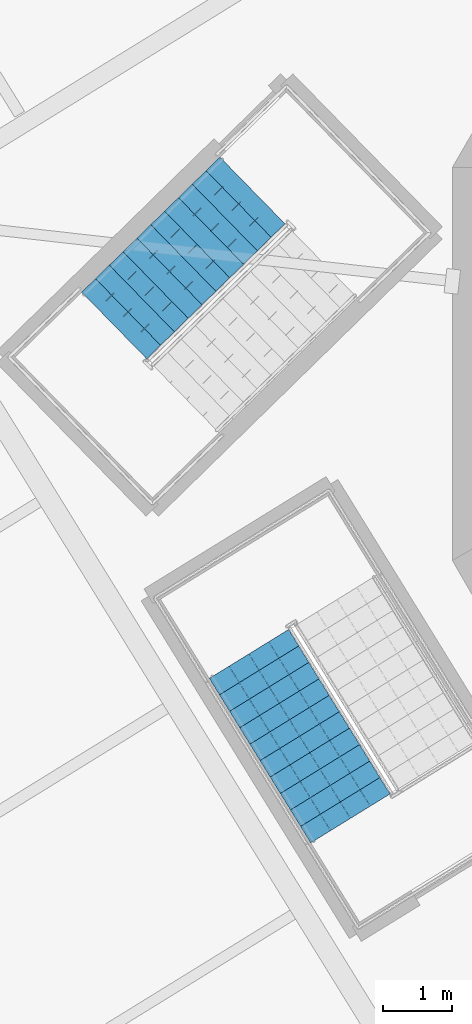
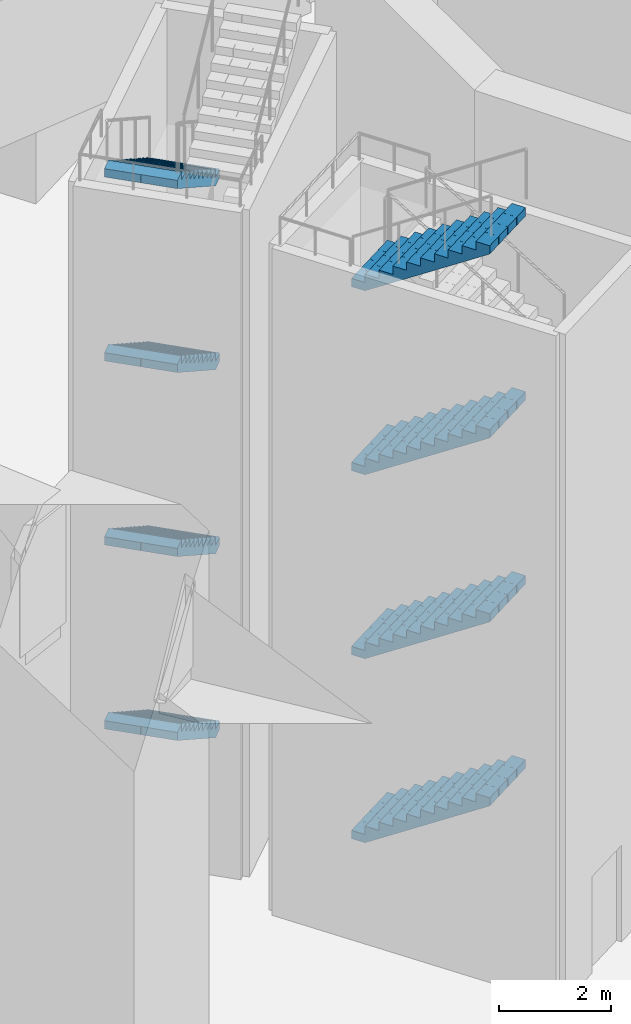
# One storey, part 5 of 15: 8 stair flights, 2 elements without a shape of their own.
"""IFC4 building model written with IfcOpenShell, lengths in metres."""

from ifc_helpers import new_model, si_unit, direction, frame, origin, place, context, subcontext, project, spatial, polyline, outline, extrude, material, type_object, element, aggregate, save


model = new_model("IFC4")

# Units and contexts
model_context = context("Model", 3, precision=1e-05, world=origin(), true_north=direction((0.0, 1.0)))
body_context = subcontext(model_context, "Body", "Model", "MODEL_VIEW")
ifc_project = project(units=[si_unit("LENGTHUNIT", "METRE"), si_unit("AREAUNIT", "SQUARE_METRE"), si_unit("VOLUMEUNIT", "CUBIC_METRE"), si_unit("PLANEANGLEUNIT", "RADIAN"), si_unit("MASSUNIT", "GRAM", prefix="KILO")], contexts=[model_context])

# Site, building, storey
site_placement = place(None, origin())
site = spatial("IfcSite", under=ifc_project, at=site_placement, CompositionType="ELEMENT")
building_placement = place(site_placement, origin())
building = spatial("IfcBuilding", under=site, at=building_placement, Name="Cantera Rosa Tower", CompositionType="ELEMENT")
storey_placement = place(building_placement, frame((0.0, 0.0, 189.39990234375)))
storey = spatial("IfcBuildingStorey", under=building, at=storey_placement, Name="L42", CompositionType="ELEMENT", Elevation=189.39990234375)

# Stair, stair flights
ifc_material_1 = material(Name="Concrete C35/45", Category="concrete")
stair_type = type_object("IfcStairType", Name="EXIT STAIR 1350 DOGLEG", PredefinedType="HALF_TURN_STAIR", material=ifc_material_1)
stair_1_placement = place(storey_placement, origin())
stair_1 = element("IfcStair", 1, at=stair_1_placement, inside=storey, type_object=stair_type, Name="L42 ST-43", PredefinedType="HALF_TURN_STAIR")
ifc_material_2 = material(Name="Concrete C35/45", Category="concrete")
stair_flight_type = type_object("IfcStairFlightType", Name="STAIR FLIGHT 1350 R88x182", PredefinedType="STRAIGHT", material=ifc_material_2)
stair_flight_1_placement = place(storey_placement, frame((-13.522705078125, 2.514892578125, 0.0), z_axis=(0.0, 0.0, 1.0), x_axis=(-0.715286295132, -0.698831536207, 0.0)))
stair_flight_1 = element("IfcStairFlight", 2, at=stair_flight_1_placement, type_object=stair_flight_type, Name="ST-43 flight 1", NumberOfRisers=11, NumberOfTreads=10, PredefinedType="STRAIGHT", RiserHeight=0.181818182, TreadLength=0.28, context=body_context, shape_type="SweptSolid", body=[
    extrude(outline(polyline([(0.0, 0.0), (0.0, 0.181884765625), (0.280029296875, 0.181884765625), (0.280029296875, 0.363525390625), (0.56005859375, 0.363525390625), (0.56005859375, 0.54541015625), (0.840087890625, 0.54541015625), (0.840087890625, 0.727294921875), (1.1201171875, 0.727294921875), (1.1201171875, 0.9091796875), (1.39990234375, 0.9091796875), (1.39990234375, 1.0908203125), (1.679931640625, 1.0908203125), (1.679931640625, 1.272705078125), (1.9599609375, 1.272705078125), (1.9599609375, 1.45458984375), (2.239990234375, 1.45458984375), (2.239990234375, 1.636474609375), (2.52001953125, 1.636474609375), (2.52001953125, 1.818115234375), (2.800048828125, 1.818115234375), (2.800048828125, 2.0), (2.800048828125, 1.639404296875), (0.275146484375, 0.0), (0.0, 0.0)])), frame((0.0, 0.675048828125, 0.0), z_axis=(0.0, -1.0, 0.0), x_axis=(1.0, 0.0, 0.0)), (0.0, 0.0, 1.0), 0.3359375),
    extrude(outline(polyline([(0.0, 0.0), (0.0, 0.181884765625), (0.280029296875, 0.181884765625), (0.280029296875, 0.363525390625), (0.56005859375, 0.363525390625), (0.56005859375, 0.54541015625), (0.840087890625, 0.54541015625), (0.840087890625, 0.727294921875), (1.1201171875, 0.727294921875), (1.1201171875, 0.9091796875), (1.39990234375, 0.9091796875), (1.39990234375, 1.0908203125), (1.679931640625, 1.0908203125), (1.679931640625, 1.272705078125), (1.9599609375, 1.272705078125), (1.9599609375, 1.45458984375), (2.239990234375, 1.45458984375), (2.239990234375, 1.636474609375), (2.52001953125, 1.636474609375), (2.52001953125, 1.818115234375), (2.800048828125, 1.818115234375), (2.800048828125, 2.0), (2.800048828125, 1.639404296875), (0.275146484375, 0.0), (0.0, 0.0)])), frame((0.0, 0.337158203125, 0.0), z_axis=(0.0, -1.0, 0.0), x_axis=(1.0, 0.0, 0.0)), (0.0, 0.0, 1.0), 0.3359375),
    extrude(outline(polyline([(0.0, 0.0), (0.0, 0.181884765625), (0.280029296875, 0.181884765625), (0.280029296875, 0.363525390625), (0.56005859375, 0.363525390625), (0.56005859375, 0.54541015625), (0.840087890625, 0.54541015625), (0.840087890625, 0.727294921875), (1.1201171875, 0.727294921875), (1.1201171875, 0.9091796875), (1.39990234375, 0.9091796875), (1.39990234375, 1.0908203125), (1.679931640625, 1.0908203125), (1.679931640625, 1.272705078125), (1.9599609375, 1.272705078125), (1.9599609375, 1.45458984375), (2.239990234375, 1.45458984375), (2.239990234375, 1.636474609375), (2.52001953125, 1.636474609375), (2.52001953125, 1.818115234375), (2.800048828125, 1.818115234375), (2.800048828125, 2.0), (2.800048828125, 1.639404296875), (0.275146484375, 0.0), (0.0, 0.0)])), frame((0.0, -0.000732421875, 0.0), z_axis=(0.0, -1.0, 0.0), x_axis=(1.0, 0.0, 0.0)), (0.0, 0.0, 1.0), 0.3359375),
    extrude(outline(polyline([(0.0, 0.0), (0.0, 0.181884765625), (0.280029296875, 0.181884765625), (0.280029296875, 0.363525390625), (0.56005859375, 0.363525390625), (0.56005859375, 0.54541015625), (0.840087890625, 0.54541015625), (0.840087890625, 0.727294921875), (1.1201171875, 0.727294921875), (1.1201171875, 0.9091796875), (1.39990234375, 0.9091796875), (1.39990234375, 1.0908203125), (1.679931640625, 1.0908203125), (1.679931640625, 1.272705078125), (1.9599609375, 1.272705078125), (1.9599609375, 1.45458984375), (2.239990234375, 1.45458984375), (2.239990234375, 1.636474609375), (2.52001953125, 1.636474609375), (2.52001953125, 1.818115234375), (2.800048828125, 1.818115234375), (2.800048828125, 2.0), (2.800048828125, 1.639404296875), (0.275146484375, 0.0), (0.0, 0.0)])), frame((0.0, -0.338623046875, 0.0), z_axis=(0.0, -1.0, 0.0), x_axis=(1.0, 0.0, 0.0)), (0.0, 0.0, 1.0), 0.3359375),
])
stair_flight_2_placement = place(storey_placement, frame((-13.522705078125, 2.514892578125, 4.0), z_axis=(0.0, 0.0, 1.0), x_axis=(-0.715286295132, -0.698831536207, 0.0)))
stair_flight_2 = element("IfcStairFlight", 3, at=stair_flight_2_placement, type_object=stair_flight_type, Name="ST-43 flight 3", NumberOfRisers=11, NumberOfTreads=10, PredefinedType="STRAIGHT", RiserHeight=0.181818182, TreadLength=0.28, context=body_context, shape_type="SweptSolid", body=[
    extrude(outline(polyline([(0.0, 0.0), (0.0, 0.181884765625), (0.280029296875, 0.181884765625), (0.280029296875, 0.363525390625), (0.56005859375, 0.363525390625), (0.56005859375, 0.54541015625), (0.840087890625, 0.54541015625), (0.840087890625, 0.727294921875), (1.1201171875, 0.727294921875), (1.1201171875, 0.9091796875), (1.39990234375, 0.9091796875), (1.39990234375, 1.0908203125), (1.679931640625, 1.0908203125), (1.679931640625, 1.272705078125), (1.9599609375, 1.272705078125), (1.9599609375, 1.45458984375), (2.239990234375, 1.45458984375), (2.239990234375, 1.636474609375), (2.52001953125, 1.636474609375), (2.52001953125, 1.818115234375), (2.800048828125, 1.818115234375), (2.800048828125, 2.0), (2.800048828125, 1.639404296875), (0.275146484375, 0.0), (0.0, 0.0)])), frame((0.0, 0.675048828125, 0.0), z_axis=(0.0, -1.0, 0.0), x_axis=(1.0, 0.0, 0.0)), (0.0, 0.0, 1.0), 0.3359375),
    extrude(outline(polyline([(0.0, 0.0), (0.0, 0.181884765625), (0.280029296875, 0.181884765625), (0.280029296875, 0.363525390625), (0.56005859375, 0.363525390625), (0.56005859375, 0.54541015625), (0.840087890625, 0.54541015625), (0.840087890625, 0.727294921875), (1.1201171875, 0.727294921875), (1.1201171875, 0.9091796875), (1.39990234375, 0.9091796875), (1.39990234375, 1.0908203125), (1.679931640625, 1.0908203125), (1.679931640625, 1.272705078125), (1.9599609375, 1.272705078125), (1.9599609375, 1.45458984375), (2.239990234375, 1.45458984375), (2.239990234375, 1.636474609375), (2.52001953125, 1.636474609375), (2.52001953125, 1.818115234375), (2.800048828125, 1.818115234375), (2.800048828125, 2.0), (2.800048828125, 1.639404296875), (0.275146484375, 0.0), (0.0, 0.0)])), frame((0.0, 0.337158203125, 0.0), z_axis=(0.0, -1.0, 0.0), x_axis=(1.0, 0.0, 0.0)), (0.0, 0.0, 1.0), 0.3359375),
    extrude(outline(polyline([(0.0, 0.0), (0.0, 0.181884765625), (0.280029296875, 0.181884765625), (0.280029296875, 0.363525390625), (0.56005859375, 0.363525390625), (0.56005859375, 0.54541015625), (0.840087890625, 0.54541015625), (0.840087890625, 0.727294921875), (1.1201171875, 0.727294921875), (1.1201171875, 0.9091796875), (1.39990234375, 0.9091796875), (1.39990234375, 1.0908203125), (1.679931640625, 1.0908203125), (1.679931640625, 1.272705078125), (1.9599609375, 1.272705078125), (1.9599609375, 1.45458984375), (2.239990234375, 1.45458984375), (2.239990234375, 1.636474609375), (2.52001953125, 1.636474609375), (2.52001953125, 1.818115234375), (2.800048828125, 1.818115234375), (2.800048828125, 2.0), (2.800048828125, 1.639404296875), (0.275146484375, 0.0), (0.0, 0.0)])), frame((0.0, -0.000732421875, 0.0), z_axis=(0.0, -1.0, 0.0), x_axis=(1.0, 0.0, 0.0)), (0.0, 0.0, 1.0), 0.3359375),
    extrude(outline(polyline([(0.0, 0.0), (0.0, 0.181884765625), (0.280029296875, 0.181884765625), (0.280029296875, 0.363525390625), (0.56005859375, 0.363525390625), (0.56005859375, 0.54541015625), (0.840087890625, 0.54541015625), (0.840087890625, 0.727294921875), (1.1201171875, 0.727294921875), (1.1201171875, 0.9091796875), (1.39990234375, 0.9091796875), (1.39990234375, 1.0908203125), (1.679931640625, 1.0908203125), (1.679931640625, 1.272705078125), (1.9599609375, 1.272705078125), (1.9599609375, 1.45458984375), (2.239990234375, 1.45458984375), (2.239990234375, 1.636474609375), (2.52001953125, 1.636474609375), (2.52001953125, 1.818115234375), (2.800048828125, 1.818115234375), (2.800048828125, 2.0), (2.800048828125, 1.639404296875), (0.275146484375, 0.0), (0.0, 0.0)])), frame((0.0, -0.338623046875, 0.0), z_axis=(0.0, -1.0, 0.0), x_axis=(1.0, 0.0, 0.0)), (0.0, 0.0, 1.0), 0.3359375),
])
stair_flight_3_placement = place(storey_placement, frame((-13.522705078125, 2.514892578125, 8.0), z_axis=(0.0, 0.0, 1.0), x_axis=(-0.715286295132, -0.698831536207, 0.0)))
stair_flight_3 = element("IfcStairFlight", 4, at=stair_flight_3_placement, type_object=stair_flight_type, Name="ST-43 flight 5", NumberOfRisers=11, NumberOfTreads=10, PredefinedType="STRAIGHT", RiserHeight=0.181818182, TreadLength=0.28, context=body_context, shape_type="SweptSolid", body=[
    extrude(outline(polyline([(0.0, 0.0), (0.0, 0.181884765625), (0.280029296875, 0.181884765625), (0.280029296875, 0.363525390625), (0.56005859375, 0.363525390625), (0.56005859375, 0.54541015625), (0.840087890625, 0.54541015625), (0.840087890625, 0.727294921875), (1.1201171875, 0.727294921875), (1.1201171875, 0.9091796875), (1.39990234375, 0.9091796875), (1.39990234375, 1.0908203125), (1.679931640625, 1.0908203125), (1.679931640625, 1.272705078125), (1.9599609375, 1.272705078125), (1.9599609375, 1.45458984375), (2.239990234375, 1.45458984375), (2.239990234375, 1.636474609375), (2.52001953125, 1.636474609375), (2.52001953125, 1.818115234375), (2.800048828125, 1.818115234375), (2.800048828125, 2.0), (2.800048828125, 1.639404296875), (0.275146484375, 0.0), (0.0, 0.0)])), frame((0.0, 0.675048828125, 0.0), z_axis=(0.0, -1.0, 0.0), x_axis=(1.0, 0.0, 0.0)), (0.0, 0.0, 1.0), 0.3359375),
    extrude(outline(polyline([(0.0, 0.0), (0.0, 0.181884765625), (0.280029296875, 0.181884765625), (0.280029296875, 0.363525390625), (0.56005859375, 0.363525390625), (0.56005859375, 0.54541015625), (0.840087890625, 0.54541015625), (0.840087890625, 0.727294921875), (1.1201171875, 0.727294921875), (1.1201171875, 0.9091796875), (1.39990234375, 0.9091796875), (1.39990234375, 1.0908203125), (1.679931640625, 1.0908203125), (1.679931640625, 1.272705078125), (1.9599609375, 1.272705078125), (1.9599609375, 1.45458984375), (2.239990234375, 1.45458984375), (2.239990234375, 1.636474609375), (2.52001953125, 1.636474609375), (2.52001953125, 1.818115234375), (2.800048828125, 1.818115234375), (2.800048828125, 2.0), (2.800048828125, 1.639404296875), (0.275146484375, 0.0), (0.0, 0.0)])), frame((0.0, 0.337158203125, 0.0), z_axis=(0.0, -1.0, 0.0), x_axis=(1.0, 0.0, 0.0)), (0.0, 0.0, 1.0), 0.3359375),
    extrude(outline(polyline([(0.0, 0.0), (0.0, 0.181884765625), (0.280029296875, 0.181884765625), (0.280029296875, 0.363525390625), (0.56005859375, 0.363525390625), (0.56005859375, 0.54541015625), (0.840087890625, 0.54541015625), (0.840087890625, 0.727294921875), (1.1201171875, 0.727294921875), (1.1201171875, 0.9091796875), (1.39990234375, 0.9091796875), (1.39990234375, 1.0908203125), (1.679931640625, 1.0908203125), (1.679931640625, 1.272705078125), (1.9599609375, 1.272705078125), (1.9599609375, 1.45458984375), (2.239990234375, 1.45458984375), (2.239990234375, 1.636474609375), (2.52001953125, 1.636474609375), (2.52001953125, 1.818115234375), (2.800048828125, 1.818115234375), (2.800048828125, 2.0), (2.800048828125, 1.639404296875), (0.275146484375, 0.0), (0.0, 0.0)])), frame((0.0, -0.000732421875, 0.0), z_axis=(0.0, -1.0, 0.0), x_axis=(1.0, 0.0, 0.0)), (0.0, 0.0, 1.0), 0.3359375),
    extrude(outline(polyline([(0.0, 0.0), (0.0, 0.181884765625), (0.280029296875, 0.181884765625), (0.280029296875, 0.363525390625), (0.56005859375, 0.363525390625), (0.56005859375, 0.54541015625), (0.840087890625, 0.54541015625), (0.840087890625, 0.727294921875), (1.1201171875, 0.727294921875), (1.1201171875, 0.9091796875), (1.39990234375, 0.9091796875), (1.39990234375, 1.0908203125), (1.679931640625, 1.0908203125), (1.679931640625, 1.272705078125), (1.9599609375, 1.272705078125), (1.9599609375, 1.45458984375), (2.239990234375, 1.45458984375), (2.239990234375, 1.636474609375), (2.52001953125, 1.636474609375), (2.52001953125, 1.818115234375), (2.800048828125, 1.818115234375), (2.800048828125, 2.0), (2.800048828125, 1.639404296875), (0.275146484375, 0.0), (0.0, 0.0)])), frame((0.0, -0.338623046875, 0.0), z_axis=(0.0, -1.0, 0.0), x_axis=(1.0, 0.0, 0.0)), (0.0, 0.0, 1.0), 0.3359375),
])
stair_flight_4_placement = place(storey_placement, frame((-13.522705078125, 2.514892578125, 12.0), z_axis=(0.0, 0.0, 1.0), x_axis=(-0.715286295132, -0.698831536207, 0.0)))
stair_flight_4 = element("IfcStairFlight", 5, at=stair_flight_4_placement, type_object=stair_flight_type, Name="ST-43 flight 7", NumberOfRisers=11, NumberOfTreads=10, PredefinedType="STRAIGHT", RiserHeight=0.181818182, TreadLength=0.28, context=body_context, shape_type="SweptSolid", body=[
    extrude(outline(polyline([(0.0, 0.0), (0.0, 0.181884765625), (0.280029296875, 0.181884765625), (0.280029296875, 0.363525390625), (0.56005859375, 0.363525390625), (0.56005859375, 0.54541015625), (0.840087890625, 0.54541015625), (0.840087890625, 0.727294921875), (1.1201171875, 0.727294921875), (1.1201171875, 0.9091796875), (1.39990234375, 0.9091796875), (1.39990234375, 1.0908203125), (1.679931640625, 1.0908203125), (1.679931640625, 1.272705078125), (1.9599609375, 1.272705078125), (1.9599609375, 1.45458984375), (2.239990234375, 1.45458984375), (2.239990234375, 1.636474609375), (2.52001953125, 1.636474609375), (2.52001953125, 1.818115234375), (2.800048828125, 1.818115234375), (2.800048828125, 2.0), (2.800048828125, 1.639404296875), (0.275146484375, 0.0), (0.0, 0.0)])), frame((0.0, 0.675048828125, 0.0), z_axis=(0.0, -1.0, 0.0), x_axis=(1.0, 0.0, 0.0)), (0.0, 0.0, 1.0), 0.3359375),
    extrude(outline(polyline([(0.0, 0.0), (0.0, 0.181884765625), (0.280029296875, 0.181884765625), (0.280029296875, 0.363525390625), (0.56005859375, 0.363525390625), (0.56005859375, 0.54541015625), (0.840087890625, 0.54541015625), (0.840087890625, 0.727294921875), (1.1201171875, 0.727294921875), (1.1201171875, 0.9091796875), (1.39990234375, 0.9091796875), (1.39990234375, 1.0908203125), (1.679931640625, 1.0908203125), (1.679931640625, 1.272705078125), (1.9599609375, 1.272705078125), (1.9599609375, 1.45458984375), (2.239990234375, 1.45458984375), (2.239990234375, 1.636474609375), (2.52001953125, 1.636474609375), (2.52001953125, 1.818115234375), (2.800048828125, 1.818115234375), (2.800048828125, 2.0), (2.800048828125, 1.639404296875), (0.275146484375, 0.0), (0.0, 0.0)])), frame((0.0, 0.337158203125, 0.0), z_axis=(0.0, -1.0, 0.0), x_axis=(1.0, 0.0, 0.0)), (0.0, 0.0, 1.0), 0.3359375),
    extrude(outline(polyline([(0.0, 0.0), (0.0, 0.181884765625), (0.280029296875, 0.181884765625), (0.280029296875, 0.363525390625), (0.56005859375, 0.363525390625), (0.56005859375, 0.54541015625), (0.840087890625, 0.54541015625), (0.840087890625, 0.727294921875), (1.1201171875, 0.727294921875), (1.1201171875, 0.9091796875), (1.39990234375, 0.9091796875), (1.39990234375, 1.0908203125), (1.679931640625, 1.0908203125), (1.679931640625, 1.272705078125), (1.9599609375, 1.272705078125), (1.9599609375, 1.45458984375), (2.239990234375, 1.45458984375), (2.239990234375, 1.636474609375), (2.52001953125, 1.636474609375), (2.52001953125, 1.818115234375), (2.800048828125, 1.818115234375), (2.800048828125, 2.0), (2.800048828125, 1.639404296875), (0.275146484375, 0.0), (0.0, 0.0)])), frame((0.0, -0.000732421875, 0.0), z_axis=(0.0, -1.0, 0.0), x_axis=(1.0, 0.0, 0.0)), (0.0, 0.0, 1.0), 0.3359375),
    extrude(outline(polyline([(0.0, 0.0), (0.0, 0.181884765625), (0.280029296875, 0.181884765625), (0.280029296875, 0.363525390625), (0.56005859375, 0.363525390625), (0.56005859375, 0.54541015625), (0.840087890625, 0.54541015625), (0.840087890625, 0.727294921875), (1.1201171875, 0.727294921875), (1.1201171875, 0.9091796875), (1.39990234375, 0.9091796875), (1.39990234375, 1.0908203125), (1.679931640625, 1.0908203125), (1.679931640625, 1.272705078125), (1.9599609375, 1.272705078125), (1.9599609375, 1.45458984375), (2.239990234375, 1.45458984375), (2.239990234375, 1.636474609375), (2.52001953125, 1.636474609375), (2.52001953125, 1.818115234375), (2.800048828125, 1.818115234375), (2.800048828125, 2.0), (2.800048828125, 1.639404296875), (0.275146484375, 0.0), (0.0, 0.0)])), frame((0.0, -0.338623046875, 0.0), z_axis=(0.0, -1.0, 0.0), x_axis=(1.0, 0.0, 0.0)), (0.0, 0.0, 1.0), 0.3359375),
])
aggregate(stair_1, [stair_flight_1, stair_flight_2, stair_flight_3, stair_flight_4])

stair_2_placement = place(storey_placement, origin())
stair_2 = element("IfcStair", 6, at=stair_2_placement, inside=storey, type_object=stair_type, Name="L42 ST-44", PredefinedType="HALF_TURN_STAIR")
stair_flight_5_placement = place(storey_placement, frame((-13.5732421875, -4.2021484375, 2.0), z_axis=(0.0, 0.0, 1.0), x_axis=(0.524976585286, -0.851116669383, 0.0)))
stair_flight_5 = element("IfcStairFlight", 7, at=stair_flight_5_placement, type_object=stair_flight_type, Name="ST-44 flight 2", NumberOfRisers=11, NumberOfTreads=10, PredefinedType="STRAIGHT", RiserHeight=0.181818182, TreadLength=0.28, context=body_context, shape_type="SweptSolid", body=[
    extrude(outline(polyline([(0.0, 0.0), (0.0, 0.181884765625), (0.280029296875, 0.181884765625), (0.280029296875, 0.363525390625), (0.56005859375, 0.363525390625), (0.56005859375, 0.54541015625), (0.840087890625, 0.54541015625), (0.840087890625, 0.727294921875), (1.1201171875, 0.727294921875), (1.1201171875, 0.9091796875), (1.39990234375, 0.9091796875), (1.39990234375, 1.0908203125), (1.679931640625, 1.0908203125), (1.679931640625, 1.272705078125), (1.9599609375, 1.272705078125), (1.9599609375, 1.45458984375), (2.239990234375, 1.45458984375), (2.239990234375, 1.636474609375), (2.52001953125, 1.636474609375), (2.52001953125, 1.818115234375), (2.800048828125, 1.818115234375), (2.800048828125, 2.0), (2.800048828125, 1.639404296875), (0.275146484375, 0.0), (0.0, 0.0)])), frame((0.0, 0.675048828125, 0.0), z_axis=(0.0, -1.0, 0.0), x_axis=(1.0, 0.0, 0.0)), (0.0, 0.0, 1.0), 0.3359375),
    extrude(outline(polyline([(0.0, 0.0), (0.0, 0.181884765625), (0.280029296875, 0.181884765625), (0.280029296875, 0.363525390625), (0.56005859375, 0.363525390625), (0.56005859375, 0.54541015625), (0.840087890625, 0.54541015625), (0.840087890625, 0.727294921875), (1.1201171875, 0.727294921875), (1.1201171875, 0.9091796875), (1.39990234375, 0.9091796875), (1.39990234375, 1.0908203125), (1.679931640625, 1.0908203125), (1.679931640625, 1.272705078125), (1.9599609375, 1.272705078125), (1.9599609375, 1.45458984375), (2.239990234375, 1.45458984375), (2.239990234375, 1.636474609375), (2.52001953125, 1.636474609375), (2.52001953125, 1.818115234375), (2.800048828125, 1.818115234375), (2.800048828125, 2.0), (2.800048828125, 1.639404296875), (0.275146484375, 0.0), (0.0, 0.0)])), frame((0.0, 0.337158203125, 0.0), z_axis=(0.0, -1.0, 0.0), x_axis=(1.0, 0.0, 0.0)), (0.0, 0.0, 1.0), 0.3359375),
    extrude(outline(polyline([(0.0, 0.0), (0.0, 0.181884765625), (0.280029296875, 0.181884765625), (0.280029296875, 0.363525390625), (0.56005859375, 0.363525390625), (0.56005859375, 0.54541015625), (0.840087890625, 0.54541015625), (0.840087890625, 0.727294921875), (1.1201171875, 0.727294921875), (1.1201171875, 0.9091796875), (1.39990234375, 0.9091796875), (1.39990234375, 1.0908203125), (1.679931640625, 1.0908203125), (1.679931640625, 1.272705078125), (1.9599609375, 1.272705078125), (1.9599609375, 1.45458984375), (2.239990234375, 1.45458984375), (2.239990234375, 1.636474609375), (2.52001953125, 1.636474609375), (2.52001953125, 1.818115234375), (2.800048828125, 1.818115234375), (2.800048828125, 2.0), (2.800048828125, 1.639404296875), (0.275146484375, 0.0), (0.0, 0.0)])), frame((0.0, -0.000732421875, 0.0), z_axis=(0.0, -1.0, 0.0), x_axis=(1.0, 0.0, 0.0)), (0.0, 0.0, 1.0), 0.3359375),
    extrude(outline(polyline([(0.0, 0.0), (0.0, 0.181884765625), (0.280029296875, 0.181884765625), (0.280029296875, 0.363525390625), (0.56005859375, 0.363525390625), (0.56005859375, 0.54541015625), (0.840087890625, 0.54541015625), (0.840087890625, 0.727294921875), (1.1201171875, 0.727294921875), (1.1201171875, 0.9091796875), (1.39990234375, 0.9091796875), (1.39990234375, 1.0908203125), (1.679931640625, 1.0908203125), (1.679931640625, 1.272705078125), (1.9599609375, 1.272705078125), (1.9599609375, 1.45458984375), (2.239990234375, 1.45458984375), (2.239990234375, 1.636474609375), (2.52001953125, 1.636474609375), (2.52001953125, 1.818115234375), (2.800048828125, 1.818115234375), (2.800048828125, 2.0), (2.800048828125, 1.639404296875), (0.275146484375, 0.0), (0.0, 0.0)])), frame((0.0, -0.338623046875, 0.0), z_axis=(0.0, -1.0, 0.0), x_axis=(1.0, 0.0, 0.0)), (0.0, 0.0, 1.0), 0.3359375),
])
stair_flight_6_placement = place(storey_placement, frame((-13.5732421875, -4.2021484375, 6.0), z_axis=(0.0, 0.0, 1.0), x_axis=(0.524976585286, -0.851116669383, 0.0)))
stair_flight_6 = element("IfcStairFlight", 8, at=stair_flight_6_placement, type_object=stair_flight_type, Name="ST-44 flight 4", NumberOfRisers=11, NumberOfTreads=10, PredefinedType="STRAIGHT", RiserHeight=0.181818182, TreadLength=0.28, context=body_context, shape_type="SweptSolid", body=[
    extrude(outline(polyline([(0.0, 0.0), (0.0, 0.181884765625), (0.280029296875, 0.181884765625), (0.280029296875, 0.363525390625), (0.56005859375, 0.363525390625), (0.56005859375, 0.54541015625), (0.840087890625, 0.54541015625), (0.840087890625, 0.727294921875), (1.1201171875, 0.727294921875), (1.1201171875, 0.9091796875), (1.39990234375, 0.9091796875), (1.39990234375, 1.0908203125), (1.679931640625, 1.0908203125), (1.679931640625, 1.272705078125), (1.9599609375, 1.272705078125), (1.9599609375, 1.45458984375), (2.239990234375, 1.45458984375), (2.239990234375, 1.636474609375), (2.52001953125, 1.636474609375), (2.52001953125, 1.818115234375), (2.800048828125, 1.818115234375), (2.800048828125, 2.0), (2.800048828125, 1.639404296875), (0.275146484375, 0.0), (0.0, 0.0)])), frame((0.0, 0.675048828125, 0.0), z_axis=(0.0, -1.0, 0.0), x_axis=(1.0, 0.0, 0.0)), (0.0, 0.0, 1.0), 0.3359375),
    extrude(outline(polyline([(0.0, 0.0), (0.0, 0.181884765625), (0.280029296875, 0.181884765625), (0.280029296875, 0.363525390625), (0.56005859375, 0.363525390625), (0.56005859375, 0.54541015625), (0.840087890625, 0.54541015625), (0.840087890625, 0.727294921875), (1.1201171875, 0.727294921875), (1.1201171875, 0.9091796875), (1.39990234375, 0.9091796875), (1.39990234375, 1.0908203125), (1.679931640625, 1.0908203125), (1.679931640625, 1.272705078125), (1.9599609375, 1.272705078125), (1.9599609375, 1.45458984375), (2.239990234375, 1.45458984375), (2.239990234375, 1.636474609375), (2.52001953125, 1.636474609375), (2.52001953125, 1.818115234375), (2.800048828125, 1.818115234375), (2.800048828125, 2.0), (2.800048828125, 1.639404296875), (0.275146484375, 0.0), (0.0, 0.0)])), frame((0.0, 0.337158203125, 0.0), z_axis=(0.0, -1.0, 0.0), x_axis=(1.0, 0.0, 0.0)), (0.0, 0.0, 1.0), 0.3359375),
    extrude(outline(polyline([(0.0, 0.0), (0.0, 0.181884765625), (0.280029296875, 0.181884765625), (0.280029296875, 0.363525390625), (0.56005859375, 0.363525390625), (0.56005859375, 0.54541015625), (0.840087890625, 0.54541015625), (0.840087890625, 0.727294921875), (1.1201171875, 0.727294921875), (1.1201171875, 0.9091796875), (1.39990234375, 0.9091796875), (1.39990234375, 1.0908203125), (1.679931640625, 1.0908203125), (1.679931640625, 1.272705078125), (1.9599609375, 1.272705078125), (1.9599609375, 1.45458984375), (2.239990234375, 1.45458984375), (2.239990234375, 1.636474609375), (2.52001953125, 1.636474609375), (2.52001953125, 1.818115234375), (2.800048828125, 1.818115234375), (2.800048828125, 2.0), (2.800048828125, 1.639404296875), (0.275146484375, 0.0), (0.0, 0.0)])), frame((0.0, -0.000732421875, 0.0), z_axis=(0.0, -1.0, 0.0), x_axis=(1.0, 0.0, 0.0)), (0.0, 0.0, 1.0), 0.3359375),
    extrude(outline(polyline([(0.0, 0.0), (0.0, 0.181884765625), (0.280029296875, 0.181884765625), (0.280029296875, 0.363525390625), (0.56005859375, 0.363525390625), (0.56005859375, 0.54541015625), (0.840087890625, 0.54541015625), (0.840087890625, 0.727294921875), (1.1201171875, 0.727294921875), (1.1201171875, 0.9091796875), (1.39990234375, 0.9091796875), (1.39990234375, 1.0908203125), (1.679931640625, 1.0908203125), (1.679931640625, 1.272705078125), (1.9599609375, 1.272705078125), (1.9599609375, 1.45458984375), (2.239990234375, 1.45458984375), (2.239990234375, 1.636474609375), (2.52001953125, 1.636474609375), (2.52001953125, 1.818115234375), (2.800048828125, 1.818115234375), (2.800048828125, 2.0), (2.800048828125, 1.639404296875), (0.275146484375, 0.0), (0.0, 0.0)])), frame((0.0, -0.338623046875, 0.0), z_axis=(0.0, -1.0, 0.0), x_axis=(1.0, 0.0, 0.0)), (0.0, 0.0, 1.0), 0.3359375),
])
stair_flight_7_placement = place(storey_placement, frame((-13.5732421875, -4.2021484375, 10.0), z_axis=(0.0, 0.0, 1.0), x_axis=(0.524976585286, -0.851116669383, 0.0)))
stair_flight_7 = element("IfcStairFlight", 9, at=stair_flight_7_placement, type_object=stair_flight_type, Name="ST-44 flight 6", NumberOfRisers=11, NumberOfTreads=10, PredefinedType="STRAIGHT", RiserHeight=0.181818182, TreadLength=0.28, context=body_context, shape_type="SweptSolid", body=[
    extrude(outline(polyline([(0.0, 0.0), (0.0, 0.181884765625), (0.280029296875, 0.181884765625), (0.280029296875, 0.363525390625), (0.56005859375, 0.363525390625), (0.56005859375, 0.54541015625), (0.840087890625, 0.54541015625), (0.840087890625, 0.727294921875), (1.1201171875, 0.727294921875), (1.1201171875, 0.9091796875), (1.39990234375, 0.9091796875), (1.39990234375, 1.0908203125), (1.679931640625, 1.0908203125), (1.679931640625, 1.272705078125), (1.9599609375, 1.272705078125), (1.9599609375, 1.45458984375), (2.239990234375, 1.45458984375), (2.239990234375, 1.636474609375), (2.52001953125, 1.636474609375), (2.52001953125, 1.818115234375), (2.800048828125, 1.818115234375), (2.800048828125, 2.0), (2.800048828125, 1.639404296875), (0.275146484375, 0.0), (0.0, 0.0)])), frame((0.0, 0.675048828125, 0.0), z_axis=(0.0, -1.0, 0.0), x_axis=(1.0, 0.0, 0.0)), (0.0, 0.0, 1.0), 0.3359375),
    extrude(outline(polyline([(0.0, 0.0), (0.0, 0.181884765625), (0.280029296875, 0.181884765625), (0.280029296875, 0.363525390625), (0.56005859375, 0.363525390625), (0.56005859375, 0.54541015625), (0.840087890625, 0.54541015625), (0.840087890625, 0.727294921875), (1.1201171875, 0.727294921875), (1.1201171875, 0.9091796875), (1.39990234375, 0.9091796875), (1.39990234375, 1.0908203125), (1.679931640625, 1.0908203125), (1.679931640625, 1.272705078125), (1.9599609375, 1.272705078125), (1.9599609375, 1.45458984375), (2.239990234375, 1.45458984375), (2.239990234375, 1.636474609375), (2.52001953125, 1.636474609375), (2.52001953125, 1.818115234375), (2.800048828125, 1.818115234375), (2.800048828125, 2.0), (2.800048828125, 1.639404296875), (0.275146484375, 0.0), (0.0, 0.0)])), frame((0.0, 0.337158203125, 0.0), z_axis=(0.0, -1.0, 0.0), x_axis=(1.0, 0.0, 0.0)), (0.0, 0.0, 1.0), 0.3359375),
    extrude(outline(polyline([(0.0, 0.0), (0.0, 0.181884765625), (0.280029296875, 0.181884765625), (0.280029296875, 0.363525390625), (0.56005859375, 0.363525390625), (0.56005859375, 0.54541015625), (0.840087890625, 0.54541015625), (0.840087890625, 0.727294921875), (1.1201171875, 0.727294921875), (1.1201171875, 0.9091796875), (1.39990234375, 0.9091796875), (1.39990234375, 1.0908203125), (1.679931640625, 1.0908203125), (1.679931640625, 1.272705078125), (1.9599609375, 1.272705078125), (1.9599609375, 1.45458984375), (2.239990234375, 1.45458984375), (2.239990234375, 1.636474609375), (2.52001953125, 1.636474609375), (2.52001953125, 1.818115234375), (2.800048828125, 1.818115234375), (2.800048828125, 2.0), (2.800048828125, 1.639404296875), (0.275146484375, 0.0), (0.0, 0.0)])), frame((0.0, -0.000732421875, 0.0), z_axis=(0.0, -1.0, 0.0), x_axis=(1.0, 0.0, 0.0)), (0.0, 0.0, 1.0), 0.3359375),
    extrude(outline(polyline([(0.0, 0.0), (0.0, 0.181884765625), (0.280029296875, 0.181884765625), (0.280029296875, 0.363525390625), (0.56005859375, 0.363525390625), (0.56005859375, 0.54541015625), (0.840087890625, 0.54541015625), (0.840087890625, 0.727294921875), (1.1201171875, 0.727294921875), (1.1201171875, 0.9091796875), (1.39990234375, 0.9091796875), (1.39990234375, 1.0908203125), (1.679931640625, 1.0908203125), (1.679931640625, 1.272705078125), (1.9599609375, 1.272705078125), (1.9599609375, 1.45458984375), (2.239990234375, 1.45458984375), (2.239990234375, 1.636474609375), (2.52001953125, 1.636474609375), (2.52001953125, 1.818115234375), (2.800048828125, 1.818115234375), (2.800048828125, 2.0), (2.800048828125, 1.639404296875), (0.275146484375, 0.0), (0.0, 0.0)])), frame((0.0, -0.338623046875, 0.0), z_axis=(0.0, -1.0, 0.0), x_axis=(1.0, 0.0, 0.0)), (0.0, 0.0, 1.0), 0.3359375),
])
stair_flight_8_placement = place(storey_placement, frame((-13.5732421875, -4.2021484375, 14.0), z_axis=(0.0, 0.0, 1.0), x_axis=(0.524976585286, -0.851116669383, 0.0)))
stair_flight_8 = element("IfcStairFlight", 10, at=stair_flight_8_placement, type_object=stair_flight_type, Name="ST-44 flight 8", NumberOfRisers=11, NumberOfTreads=10, PredefinedType="STRAIGHT", RiserHeight=0.181818182, TreadLength=0.28, context=body_context, shape_type="SweptSolid", body=[
    extrude(outline(polyline([(0.0, 0.0), (0.0, 0.181884765625), (0.280029296875, 0.181884765625), (0.280029296875, 0.363525390625), (0.56005859375, 0.363525390625), (0.56005859375, 0.54541015625), (0.840087890625, 0.54541015625), (0.840087890625, 0.727294921875), (1.1201171875, 0.727294921875), (1.1201171875, 0.9091796875), (1.39990234375, 0.9091796875), (1.39990234375, 1.0908203125), (1.679931640625, 1.0908203125), (1.679931640625, 1.272705078125), (1.9599609375, 1.272705078125), (1.9599609375, 1.45458984375), (2.239990234375, 1.45458984375), (2.239990234375, 1.636474609375), (2.52001953125, 1.636474609375), (2.52001953125, 1.818115234375), (2.800048828125, 1.818115234375), (2.800048828125, 2.0), (2.800048828125, 1.639404296875), (0.275146484375, 0.0), (0.0, 0.0)])), frame((0.0, 0.675048828125, 0.0), z_axis=(0.0, -1.0, 0.0), x_axis=(1.0, 0.0, 0.0)), (0.0, 0.0, 1.0), 0.3359375),
    extrude(outline(polyline([(0.0, 0.0), (0.0, 0.181884765625), (0.280029296875, 0.181884765625), (0.280029296875, 0.363525390625), (0.56005859375, 0.363525390625), (0.56005859375, 0.54541015625), (0.840087890625, 0.54541015625), (0.840087890625, 0.727294921875), (1.1201171875, 0.727294921875), (1.1201171875, 0.9091796875), (1.39990234375, 0.9091796875), (1.39990234375, 1.0908203125), (1.679931640625, 1.0908203125), (1.679931640625, 1.272705078125), (1.9599609375, 1.272705078125), (1.9599609375, 1.45458984375), (2.239990234375, 1.45458984375), (2.239990234375, 1.636474609375), (2.52001953125, 1.636474609375), (2.52001953125, 1.818115234375), (2.800048828125, 1.818115234375), (2.800048828125, 2.0), (2.800048828125, 1.639404296875), (0.275146484375, 0.0), (0.0, 0.0)])), frame((0.0, 0.337158203125, 0.0), z_axis=(0.0, -1.0, 0.0), x_axis=(1.0, 0.0, 0.0)), (0.0, 0.0, 1.0), 0.3359375),
    extrude(outline(polyline([(0.0, 0.0), (0.0, 0.181884765625), (0.280029296875, 0.181884765625), (0.280029296875, 0.363525390625), (0.56005859375, 0.363525390625), (0.56005859375, 0.54541015625), (0.840087890625, 0.54541015625), (0.840087890625, 0.727294921875), (1.1201171875, 0.727294921875), (1.1201171875, 0.9091796875), (1.39990234375, 0.9091796875), (1.39990234375, 1.0908203125), (1.679931640625, 1.0908203125), (1.679931640625, 1.272705078125), (1.9599609375, 1.272705078125), (1.9599609375, 1.45458984375), (2.239990234375, 1.45458984375), (2.239990234375, 1.636474609375), (2.52001953125, 1.636474609375), (2.52001953125, 1.818115234375), (2.800048828125, 1.818115234375), (2.800048828125, 2.0), (2.800048828125, 1.639404296875), (0.275146484375, 0.0), (0.0, 0.0)])), frame((0.0, -0.000732421875, 0.0), z_axis=(0.0, -1.0, 0.0), x_axis=(1.0, 0.0, 0.0)), (0.0, 0.0, 1.0), 0.3359375),
    extrude(outline(polyline([(0.0, 0.0), (0.0, 0.181884765625), (0.280029296875, 0.181884765625), (0.280029296875, 0.363525390625), (0.56005859375, 0.363525390625), (0.56005859375, 0.54541015625), (0.840087890625, 0.54541015625), (0.840087890625, 0.727294921875), (1.1201171875, 0.727294921875), (1.1201171875, 0.9091796875), (1.39990234375, 0.9091796875), (1.39990234375, 1.0908203125), (1.679931640625, 1.0908203125), (1.679931640625, 1.272705078125), (1.9599609375, 1.272705078125), (1.9599609375, 1.45458984375), (2.239990234375, 1.45458984375), (2.239990234375, 1.636474609375), (2.52001953125, 1.636474609375), (2.52001953125, 1.818115234375), (2.800048828125, 1.818115234375), (2.800048828125, 2.0), (2.800048828125, 1.639404296875), (0.275146484375, 0.0), (0.0, 0.0)])), frame((0.0, -0.338623046875, 0.0), z_axis=(0.0, -1.0, 0.0), x_axis=(1.0, 0.0, 0.0)), (0.0, 0.0, 1.0), 0.3359375),
])
aggregate(stair_2, [stair_flight_5, stair_flight_6, stair_flight_7, stair_flight_8])

save(model, "model.ifc")
